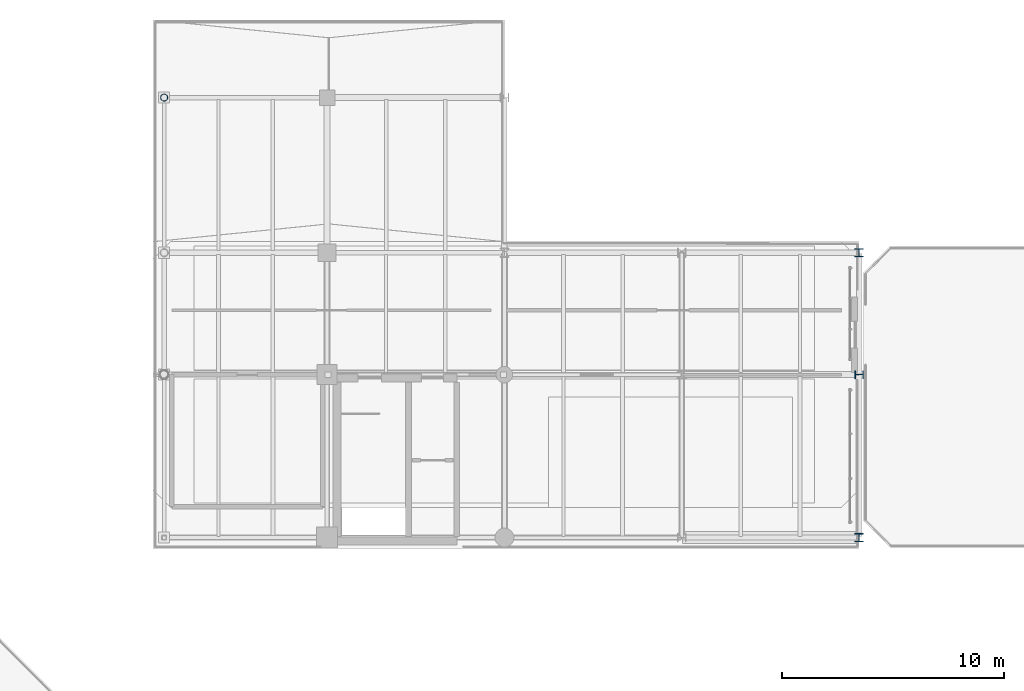
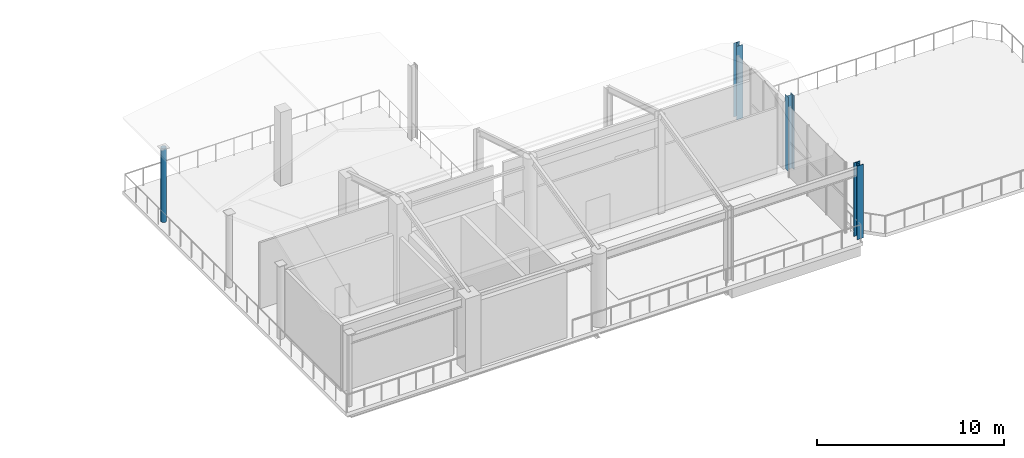
# One storey, part 6 of 30: 4 columns.
"""IFC4 building model written with IfcOpenShell, lengths in metres."""

from ifc_helpers import new_model, si_unit, direction, frame, origin, origin_2d, place, context, subcontext, project, spatial, hollow_circle, i_section, extrude, material, material_profile, profile_set, type_object, element, save


model = new_model("IFC4")

# Units and contexts
model_context = context("Model", 3, precision=1e-05, world=origin(), true_north=direction((0.0, 1.0)))
body_context = subcontext(model_context, "Body", "Model", "MODEL_VIEW")
ifc_project = project(units=[si_unit("LENGTHUNIT", "METRE"), si_unit("AREAUNIT", "SQUARE_METRE"), si_unit("VOLUMEUNIT", "CUBIC_METRE"), si_unit("PLANEANGLEUNIT", "RADIAN"), si_unit("MASSUNIT", "GRAM", prefix="KILO")], contexts=[model_context])

# Site, building, storey
site_placement = place(None, origin())
site = spatial("IfcSite", under=ifc_project, at=site_placement, CompositionType="ELEMENT")
building_placement = place(site_placement, origin())
building = spatial("IfcBuilding", under=site, at=building_placement, Name="Brisemont Oceanarium", CompositionType="ELEMENT")
storey_placement = place(building_placement, frame((0.0, 0.0, 19.800048828125)))
storey = spatial("IfcBuildingStorey", under=building, at=storey_placement, Name="L04", CompositionType="ELEMENT", Elevation=19.800048828125)

# Columns
ifc_material_1 = material(Name="Structural Steel ASTM A500 Gr.C", Category="steel")
ifc_material_profile_1 = material_profile(ifc_material_1, hollow_circle(Radius=0.162109375, WallThickness=0.01171875, at=origin_2d()), Name="HSS12.750X0.500")
ifc_profile_set_1 = profile_set([ifc_material_profile_1], Name="Structural Steel ASTM A500 Gr.C")
column_type_1 = type_object("IfcColumnType", Name="COL-CHS12", PredefinedType="COLUMN", material=ifc_profile_set_1)
column_1_placement = place(storey_placement, frame((112.64990234375, 100.5, 0.0), z_axis=(0.0, 0.0, 1.0), x_axis=(0.0, 1.0, 0.0)))
element("IfcColumn", 1, at=column_1_placement, inside=storey, type_object=column_type_1, Name="V6 L04 column (0,3)", PredefinedType="COLUMN", context=body_context, shape_type="SweptSolid", body=[
    extrude(hollow_circle(Radius=0.162109375, WallThickness=0.01171875, at=origin_2d()), origin(), (0.0, 0.0, 1.0), 4.800048828125),
])
ifc_material_2 = material(Name="Structural Steel ASTM A992 Gr.50", Category="steel")
ifc_material_profile_2 = material_profile(ifc_material_2, i_section(OverallWidth=0.373046875, OverallDepth=0.367919921875, WebThickness=0.014892578125, FlangeThickness=0.02392578125, FilletRadius=0.014892578125, at=origin_2d()), Name="W14X120")
ifc_profile_set_2 = profile_set([ifc_material_profile_2], Name="Structural Steel ASTM A992 Gr.50")
column_type_2 = type_object("IfcColumnType", Name="COL-W14X120", PredefinedType="COLUMN", material=ifc_profile_set_2)
column_2_placement = place(storey_placement, frame((144.0, 93.5, 0.0), z_axis=(0.0, 0.0, 1.0), x_axis=(1.0, 0.0, 0.0)))
element("IfcColumn", 2, at=column_2_placement, inside=storey, type_object=column_type_2, Name="V6 L04 column (4,2)", PredefinedType="COLUMN", context=body_context, shape_type="SweptSolid", body=[
    extrude(i_section(OverallWidth=0.373046875, OverallDepth=0.367919921875, WebThickness=0.014892578125, FlangeThickness=0.02392578125, FilletRadius=0.014892578125, at=origin_2d()), origin(), (0.0, 0.0, 1.0), 4.800048828125),
])
ifc_material_3 = material(Name="Structural Steel ASTM A992 Gr.50", Category="steel")
ifc_material_profile_3 = material_profile(ifc_material_3, i_section(OverallWidth=0.3740234375, OverallDepth=0.3720703125, WebThickness=0.016357421875, FlangeThickness=0.026123046875, FilletRadius=0.014892578125, at=origin_2d()), Name="W14X132")
ifc_profile_set_3 = profile_set([ifc_material_profile_3], Name="Structural Steel ASTM A992 Gr.50")
column_type_3 = type_object("IfcColumnType", Name="COL-W14X132", PredefinedType="COLUMN", material=ifc_profile_set_3)
column_3_placement = place(storey_placement, frame((144.0, 88.0, 0.0), z_axis=(0.0, 0.0, 1.0), x_axis=(0.0, 1.0, 0.0)))
element("IfcColumn", 3, at=column_3_placement, inside=storey, type_object=column_type_3, Name="V6 L04 column (4,1)", PredefinedType="COLUMN", context=body_context, shape_type="SweptSolid", body=[
    extrude(i_section(OverallWidth=0.3740234375, OverallDepth=0.3720703125, WebThickness=0.016357421875, FlangeThickness=0.026123046875, FilletRadius=0.014892578125, at=origin_2d()), origin(), (0.0, 0.0, 1.0), 4.800048828125),
])
ifc_material_4 = material(Name="Structural Steel ASTM A992 Gr.50", Category="steel")
ifc_material_profile_4 = material_profile(ifc_material_4, i_section(OverallWidth=0.39404296875, OverallDepth=0.3759765625, WebThickness=0.017333984375, FlangeThickness=0.027587890625, FilletRadius=0.014892578125, at=origin_2d()), Name="W14X145")
ifc_profile_set_4 = profile_set([ifc_material_profile_4], Name="Structural Steel ASTM A992 Gr.50")
column_type_4 = type_object("IfcColumnType", Name="COL-W14X145", PredefinedType="COLUMN", material=ifc_profile_set_4)
column_4_placement = place(storey_placement, frame((144.0, 80.64990234375, 0.0), z_axis=(0.0, 0.0, 1.0), x_axis=(1.0, 0.0, 0.0)))
element("IfcColumn", 4, at=column_4_placement, inside=storey, type_object=column_type_4, Name="V6 L04 column (4,0)", PredefinedType="COLUMN", context=body_context, shape_type="SweptSolid", body=[
    extrude(i_section(OverallWidth=0.39404296875, OverallDepth=0.3759765625, WebThickness=0.017333984375, FlangeThickness=0.027587890625, FilletRadius=0.014892578125, at=origin_2d()), origin(), (0.0, 0.0, 1.0), 4.800048828125),
])

save(model, "model.ifc")
